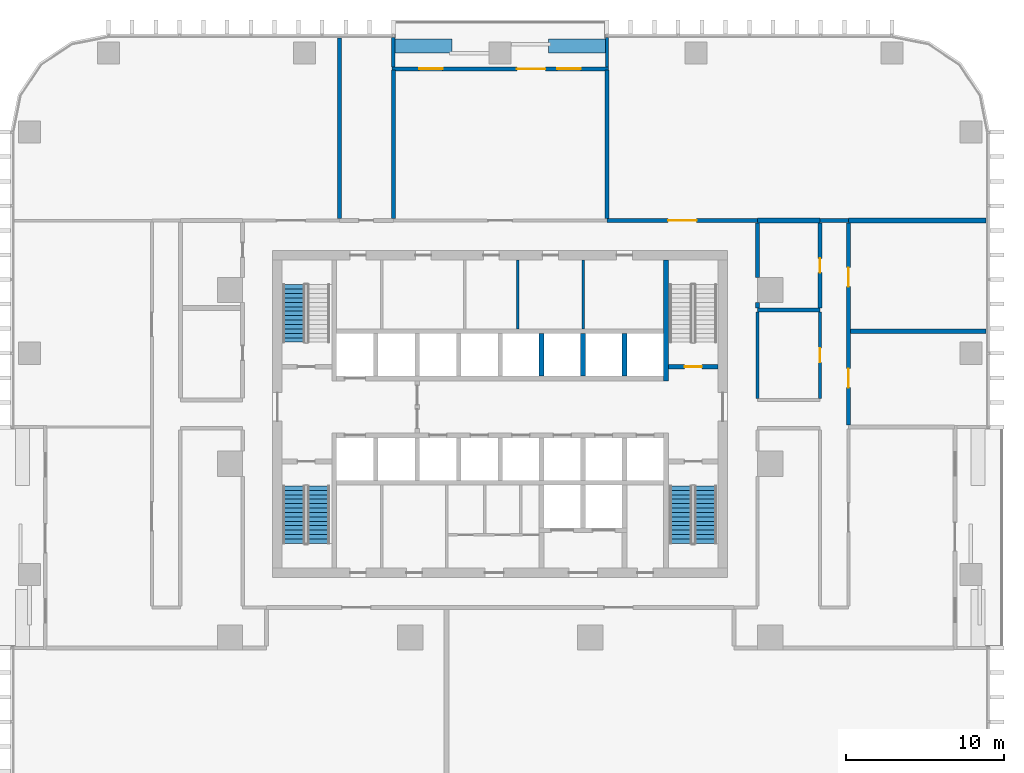
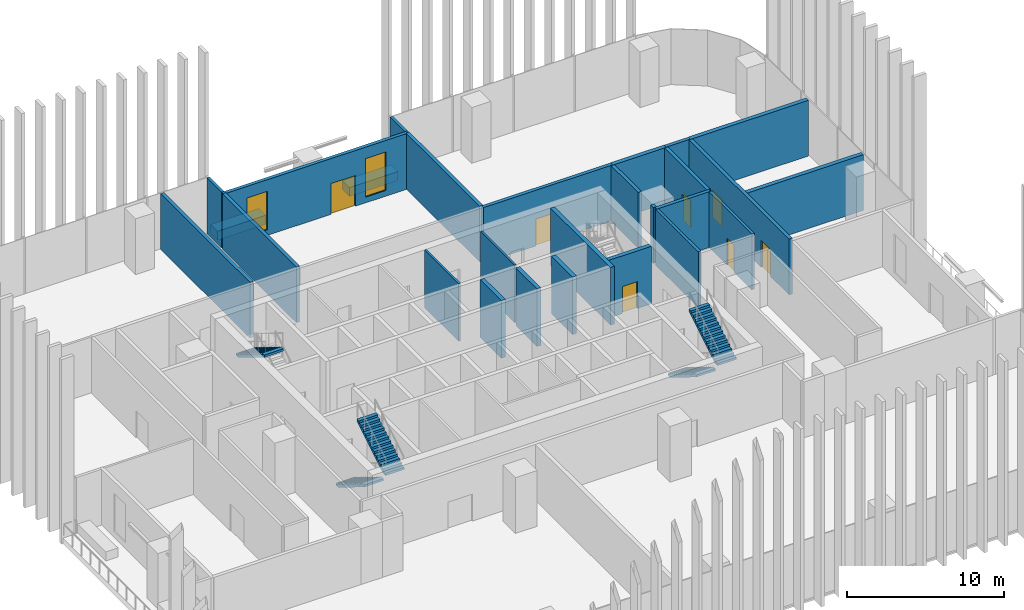
# One storey, part 10 of 17: 27 walls, 7 doors, 5 stair flights, 2 windows, 9 openings, 3 elements without a shape of their own.
"""IFC4 building model written with IfcOpenShell, lengths in metres."""

from ifc_helpers import new_model, si_unit, direction, frame, frame_2d, origin, place, context, subcontext, project, spatial, polyline, rectangle, outline, extrude, material, layer, layer_set, type_object, element, fill, aggregate, save


model = new_model("IFC4")

# Units and contexts
model_context = context("Model", 3, precision=1e-05, world=origin(), true_north=direction((0.0, 1.0)))
body_context = subcontext(model_context, "Body", "Model", "MODEL_VIEW")
ifc_project = project(units=[si_unit("LENGTHUNIT", "METRE"), si_unit("AREAUNIT", "SQUARE_METRE"), si_unit("VOLUMEUNIT", "CUBIC_METRE"), si_unit("PLANEANGLEUNIT", "RADIAN"), si_unit("MASSUNIT", "GRAM", prefix="KILO")], contexts=[model_context])

# Site, building, storey
site_placement = place(None, origin())
site = spatial("IfcSite", under=ifc_project, at=site_placement, CompositionType="ELEMENT")
building_placement = place(site_placement, origin())
building = spatial("IfcBuilding", under=site, at=building_placement, Name="Mopane Tessera Tower", CompositionType="ELEMENT")
storey_placement = place(building_placement, frame((0.0, 0.0, 45.39990234375)))
storey = spatial("IfcBuildingStorey", under=building, at=storey_placement, Name="L08", CompositionType="ELEMENT", Elevation=45.39990234375)

# Walls
ifc_material_1 = material(Name="Fire-rated gypsum board partition")
ifc_layer_1 = layer(ifc_material_1, 0.14990234375)
ifc_layer_set_1 = layer_set([ifc_layer_1], Name="Fire-rated gypsum board partition")
wall_type_1 = type_object("IfcWallType", Name="Core room partition 150 mm", PredefinedType="PARTITIONING", material=ifc_layer_set_1)
for number, where, z_axis, x_axis, name in (
    (1, (1.125, 8.550048828125, 0.0), (0.0, 0.0, 1.0), (0.0, 1.0, 0.0), "L08 Room partition"),
    (2, (5.25, 8.550048828125, 0.0), (0.0, 0.0, 1.0), (0.0, 1.0, 0.0), "L08 Room partition"),
):
    element("IfcWall", number, at=place(storey_placement, frame(where, z_axis=z_axis, x_axis=x_axis)), inside=storey, type_object=wall_type_1, Name=name, PredefinedType="PARTITIONING", context=body_context, shape_type="SweptSolid", body=[
        extrude(rectangle(XDim=4.349853515625, YDim=0.14990234375, at=frame_2d((2.1748046875, 0.0))), origin(), (0.0, 0.0, 1.0), 4.5),
    ])
ifc_material_2 = material(Name="Concrete C60/75", Category="concrete")
ifc_layer_2 = layer(ifc_material_2, 0.300048828125)
ifc_layer_set_2 = layer_set([ifc_layer_2], Name="Concrete C60/75")
wall_type_2 = type_object("IfcWallType", Name="Core spine wall 300 mm", PredefinedType="SHEAR", material=ifc_layer_set_2)
wall_1_placement = place(storey_placement, frame((10.5, 5.25, 0.0), z_axis=(0.0, 0.0, 1.0), x_axis=(0.0, 1.0, 0.0)))
element("IfcWall", 3, at=wall_1_placement, inside=storey, type_object=wall_type_2, Name="L08 Core spine wall", PredefinedType="SHEAR", context=body_context, shape_type="SweptSolid", body=[
    extrude(rectangle(XDim=7.64990234375, YDim=0.300048828125, at=frame_2d((3.824951171875, 0.0))), origin(), (0.0, 0.0, 1.0), 4.5),
])
ifc_material_3 = material(Name="Gypsum board on steel studs, two layers each face, mineral wool infill", Category="steel")
ifc_layer_3 = layer(ifc_material_3, 0.199951171875)
ifc_layer_set_3 = layer_set([ifc_layer_3], Name="Gypsum board on steel studs, two layers each face, mineral wool infill")
wall_type_3 = type_object("IfcWallType", Name="Gypsum board corridor wall 200, rated EI 60", PredefinedType="PARTITIONING", material=ifc_layer_set_3)
wall_2_placement = place(storey_placement, frame((16.300048828125, 4.14990234375, 0.0), z_axis=(0.0, 0.0, 1.0), x_axis=(0.0, 1.0, 0.0)))
element("IfcWall", 4, at=wall_2_placement, inside=storey, type_object=wall_type_3, Name="Partition L08:043", PredefinedType="PARTITIONING", context=body_context, shape_type="SweptSolid", body=[
    extrude(rectangle(XDim=5.4501953125, YDim=0.199951171875, at=frame_2d((2.72509765625, 0.0))), origin(), (0.0, 0.0, 1.0), 4.35009765625),
])

# Wall, opening, door
wall_3_placement = place(storey_placement, frame((20.25, 4.14990234375, 0.0), z_axis=(0.0, 0.0, 1.0), x_axis=(0.0, 1.0, 0.0)))
wall_3 = element("IfcWall", 5, at=wall_3_placement, inside=storey, type_object=wall_type_3, Name="Partition L08:047", PredefinedType="PARTITIONING", context=body_context, shape_type="SweptSolid", body=[
    extrude(rectangle(XDim=5.4501953125, YDim=0.199951171875, at=frame_2d((2.72509765625, 0.0))), origin(), (0.0, 0.0, 1.0), 4.35009765625),
])
opening_1_placement = place(wall_3_placement, frame((2.27490234375, 0.0, 0.0)))
opening_1 = element("IfcOpeningElement", 6, at=opening_1_placement, cuts=wall_3, Name="Opening L08-12", PredefinedType="OPENING", context=body_context, shape_type="SweptSolid", body=[
    extrude(rectangle(XDim=0.89990234375, YDim=2.10009765625, at=frame_2d((0.449951171875, 1.050048828125))), frame((0.0, 0.112060546875, 0.0), z_axis=(0.0, -1.0, 0.0), x_axis=(1.0, 0.0, 0.0)), (0.0, 0.0, 1.0), 0.223876953125),
])
ifc_material_4 = material(Name="Timber veneered steel-framed fire door", Category="steel")
door_type_1 = type_object("IfcDoorType", Name="Fire door FD60 900 x 2100", OperationType="SINGLE_SWING_LEFT", PredefinedType="DOOR", material=ifc_material_4)
door_1_placement = place(opening_1_placement, origin())
door_1 = element("IfcDoor", 7, at=door_1_placement, inside=storey, type_object=door_type_1, Name="Door L08-12", ObjectType="D10A", OperationType="SINGLE_SWING_LEFT", OverallHeight=2.10009765625, OverallWidth=0.89990234375, PredefinedType="DOOR", context=body_context, shape_type="SweptSolid", body=[
    extrude(rectangle(XDim=0.89990234375, YDim=2.10009765625, at=frame_2d((0.449951171875, 1.050048828125))), frame((0.0, 0.02490234375, 0.0), z_axis=(0.0, -1.0, 0.0), x_axis=(1.0, 0.0, 0.0)), (0.0, 0.0, 1.0), 0.050048828125),
])
fill(opening_1, door_1)

ifc_material_5 = material(Name="Concrete C50/60", Category="concrete")
ifc_layer_4 = layer(ifc_material_5, 0.300048828125)
ifc_layer_set_4 = layer_set([ifc_layer_4], Name="Concrete C50/60")
wall_type_4 = type_object("IfcWallType", Name="Lift and stair shaft wall 300 mm", PredefinedType="SOLIDWALL", material=ifc_layer_set_4)
wall_4_placement = place(storey_placement, frame((10.64990234375, 6.14990234375, 0.0), z_axis=(0.0, 0.0, 1.0), x_axis=(1.0, 0.0, 0.0)))
wall_4 = element("IfcWall", 8, at=wall_4_placement, inside=storey, type_object=wall_type_4, Name="L08 Stair enclosure wall", PredefinedType="SOLIDWALL", context=body_context, shape_type="SweptSolid", body=[
    extrude(rectangle(XDim=3.150146484375, YDim=0.300048828125, at=frame_2d((1.5751953125, 0.0))), origin(), (0.0, 0.0, 1.0), 4.5),
])
opening_2_placement = place(wall_4_placement, frame((1.02490234375, 0.0, 0.0)))
opening_2 = element("IfcOpeningElement", 9, at=opening_2_placement, cuts=wall_4, Name="Opening SD1", PredefinedType="OPENING", context=body_context, shape_type="SweptSolid", body=[
    extrude(rectangle(XDim=1.10009765625, YDim=2.10009765625, at=frame_2d((0.550048828125, 1.050048828125))), frame((0.0, 0.162109375, 0.0), z_axis=(0.0, -1.0, 0.0), x_axis=(1.0, 0.0, 0.0)), (0.0, 0.0, 1.0), 0.323974609375),
])
ifc_material_6 = material(Name="Steel fire door", Category="steel")
door_type_2 = type_object("IfcDoorType", Name="Stair fire door 1100 x 2100", OperationType="SINGLE_SWING_LEFT", PredefinedType="DOOR", material=ifc_material_6)
door_2_placement = place(opening_2_placement, origin())
door_2 = element("IfcDoor", 10, at=door_2_placement, inside=storey, type_object=door_type_2, Name="L08 Stair door ST4", OperationType="SINGLE_SWING_RIGHT", OverallHeight=2.10009765625, OverallWidth=1.10009765625, PredefinedType="DOOR", context=body_context, shape_type="SweptSolid", body=[
    extrude(rectangle(XDim=1.10009765625, YDim=2.10009765625, at=frame_2d((0.550048828125, 1.050048828125))), frame((0.0, 0.02490234375, 0.0), z_axis=(0.0, -1.0, 0.0), x_axis=(1.0, 0.0, 0.0)), (0.0, 0.0, 1.0), 0.050048828125),
])
fill(opening_2, door_2)

# Walls
for number, where, z_axis, x_axis, name in (
    (11, (2.625, 5.550048828125, 0.0), (0.0, 0.0, 1.0), (0.0, 1.0, 0.0), "L08 Lift shaft wall"),
    (12, (5.25, 5.550048828125, 0.0), (0.0, 0.0, 1.0), (0.0, 1.0, 0.0), "L08 Lift shaft wall"),
    (13, (7.875, 5.550048828125, 0.0), (0.0, 0.0, 1.0), (0.0, 1.0, 0.0), "L08 Lift shaft wall"),
):
    element("IfcWall", number, at=place(storey_placement, frame(where, z_axis=z_axis, x_axis=x_axis)), inside=storey, type_object=wall_type_4, Name=name, PredefinedType="SOLIDWALL", context=body_context, shape_type="SweptSolid", body=[
        extrude(rectangle(XDim=2.699951171875, YDim=0.300048828125, at=frame_2d((1.35009765625, 0.0))), origin(), (0.0, 0.0, 1.0), 4.5),
    ])
ifc_material_7 = material(Name="Reinforced concrete C32/40 with waterproofing", Category="concrete")
ifc_layer_5 = layer(ifc_material_7, 0.89990234375)
ifc_layer_set_5 = layer_set([ifc_layer_5], Name="Reinforced concrete C32/40 with waterproofing")
wall_type_5 = type_object("IfcWallType", Name="Planter trough 3600 x 900", PredefinedType="STANDARD", material=ifc_layer_set_5)
for number, where, z_axis, x_axis, name in (
    (14, (6.66357421875, 26.449951171875, 0.0), (0.0, 0.0, 1.0), (-1.0, 0.0, 0.0), "e:nw:L08:N2:pl0"),
    (15, (-3.063720703125, 26.449951171875, 0.0), (0.0, 0.0, 1.0), (-1.0, 0.0, 0.0), "e:nw:L08:N2:pl1"),
):
    element("IfcWall", number, at=place(storey_placement, frame(where, z_axis=z_axis, x_axis=x_axis)), inside=storey, type_object=wall_type_5, Name=name, PredefinedType="STANDARD", context=body_context, shape_type="SweptSolid", body=[
        extrude(rectangle(XDim=3.599853515625, YDim=0.89990234375, at=frame_2d((1.7998046875, 0.0))), origin(), (0.0, 0.0, 1.0), 0.7001953125),
    ])
ifc_material_8 = material(Name="Plastered concrete blockwork C20/25", Category="masonry")
ifc_layer_6 = layer(ifc_material_8, 0.300048828125)
ifc_layer_set_6 = layer_set([ifc_layer_6], Name="Plastered concrete blockwork C20/25")
wall_type_6 = type_object("IfcWallType", Name="Plastered blockwork separation wall 300, rated EI 120", PredefinedType="PARTITIONING", material=ifc_layer_set_6)
wall_5_placement = place(storey_placement, frame((22.175048828125, 8.39990234375, 0.0), z_axis=(0.0, 0.0, 1.0), x_axis=(1.0, 0.0, 0.0)))
element("IfcWall", 16, at=wall_5_placement, inside=storey, type_object=wall_type_6, Name="Partition L08:015", PredefinedType="PARTITIONING", context=body_context, shape_type="SweptSolid", body=[
    extrude(rectangle(XDim=8.574951171875, YDim=0.300048828125, at=frame_2d((4.28759765625, 0.0))), origin(), (0.0, 0.0, 1.0), 4.35009765625),
])
wall_6_placement = place(storey_placement, frame((16.300048828125, 15.39990234375, 0.0), z_axis=(0.0, 0.0, 1.0), x_axis=(1.0, 0.0, 0.0)))
element("IfcWall", 17, at=wall_6_placement, inside=storey, type_object=wall_type_6, Name="Partition L08:026", PredefinedType="PARTITIONING", context=body_context, shape_type="SweptSolid", body=[
    extrude(rectangle(XDim=3.949951171875, YDim=0.300048828125, at=frame_2d((1.97509765625, 0.0))), origin(), (0.0, 0.0, 1.0), 4.35009765625),
])
wall_7_placement = place(storey_placement, frame((22.050048828125, 15.39990234375, 0.0), z_axis=(0.0, 0.0, 1.0), x_axis=(1.0, 0.0, 0.0)))
element("IfcWall", 18, at=wall_7_placement, inside=storey, type_object=wall_type_6, Name="Partition L08:027", PredefinedType="PARTITIONING", context=body_context, shape_type="SweptSolid", body=[
    extrude(rectangle(XDim=8.699951171875, YDim=0.300048828125, at=frame_2d((4.35009765625, 0.0))), origin(), (0.0, 0.0, 1.0), 4.35009765625),
])
ifc_material_9 = material(Name="Plastered concrete blockwork C20/25", Category="masonry")
ifc_layer_7 = layer(ifc_material_9, 0.25)
ifc_layer_set_7 = layer_set([ifc_layer_7], Name="Plastered concrete blockwork C20/25")
wall_type_7 = type_object("IfcWallType", Name="Plastered blockwork wall 250, rated EI 120", PredefinedType="PARTITIONING", material=ifc_layer_set_7)
wall_8_placement = place(storey_placement, frame((16.300048828125, 9.72509765625, 0.0), z_axis=(0.0, 0.0, 1.0), x_axis=(1.0, 0.0, 0.0)))
element("IfcWall", 19, at=wall_8_placement, inside=storey, type_object=wall_type_7, Name="Partition L08:016", PredefinedType="PARTITIONING", context=body_context, shape_type="SweptSolid", body=[
    extrude(rectangle(XDim=3.949951171875, YDim=0.25, at=frame_2d((1.97509765625, 0.0))), origin(), (0.0, 0.0, 1.0), 4.35009765625),
])

# Wall, opening, door
wall_9_placement = place(storey_placement, frame((6.764892578125, 15.39990234375, 0.0), z_axis=(0.0, 0.0, 1.0), x_axis=(1.0, 0.0, 0.0)))
wall_9 = element("IfcWall", 20, at=wall_9_placement, inside=storey, type_object=wall_type_7, Name="Partition L08:024", PredefinedType="PARTITIONING", context=body_context, shape_type="SweptSolid", body=[
    extrude(rectangle(XDim=9.53515625, YDim=0.25, at=frame_2d((4.767578125, 0.0))), origin(), (0.0, 0.0, 1.0), 4.35009765625),
])
opening_3_placement = place(wall_9_placement, frame((3.867431640625, 0.0, 0.0)))
opening_3 = element("IfcOpeningElement", 21, at=opening_3_placement, cuts=wall_9, Name="Opening L08-10", PredefinedType="OPENING", context=body_context, shape_type="SweptSolid", body=[
    extrude(rectangle(XDim=1.800048828125, YDim=2.10009765625, at=frame_2d((0.89990234375, 1.050048828125))), frame((0.0, 0.136962890625, 0.0), z_axis=(0.0, -1.0, 0.0), x_axis=(1.0, 0.0, 0.0)), (0.0, 0.0, 1.0), 0.27392578125),
])
ifc_material_10 = material(Name="Timber veneered steel-framed fire door", Category="steel")
door_type_3 = type_object("IfcDoorType", Name="Fire door pair FD120 1800 x 2100", OperationType="DOUBLE_DOOR_SINGLE_SWING", PredefinedType="DOOR", material=ifc_material_10)
door_3_placement = place(opening_3_placement, origin())
door_3 = element("IfcDoor", 22, at=door_3_placement, inside=storey, type_object=door_type_3, Name="Door L08-10", ObjectType="D20B", OperationType="DOUBLE_DOOR_SINGLE_SWING", OverallHeight=2.10009765625, OverallWidth=1.800048828125, PredefinedType="DOOR", context=body_context, shape_type="SweptSolid", body=[
    extrude(rectangle(XDim=1.800048828125, YDim=2.10009765625, at=frame_2d((0.89990234375, 1.050048828125))), frame((0.0, 0.02490234375, 0.0), z_axis=(0.0, -1.0, 0.0), x_axis=(1.0, 0.0, 0.0)), (0.0, 0.0, 1.0), 0.050048828125),
])
fill(opening_3, door_3)

# Walls
wall_10_placement = place(storey_placement, frame((20.25, 15.39990234375, 0.0), z_axis=(0.0, 0.0, 1.0), x_axis=(1.0, 0.0, 0.0)))
element("IfcWall", 23, at=wall_10_placement, inside=storey, type_object=wall_type_7, Name="Partition L08:025", PredefinedType="PARTITIONING", context=body_context, shape_type="SweptSolid", body=[
    extrude(rectangle(XDim=1.800048828125, YDim=0.25, at=frame_2d((0.89990234375, 0.0))), origin(), (0.0, 0.0, 1.0), 4.35009765625),
])
wall_11_placement = place(storey_placement, frame((-10.18505859375, 15.52490234375, 0.0), z_axis=(0.0, 0.0, 1.0), x_axis=(0.0, 1.0, 0.0)))
element("IfcWall", 24, at=wall_11_placement, inside=storey, type_object=wall_type_7, Name="Partition L08:036", PredefinedType="PARTITIONING", context=body_context, shape_type="SweptSolid", body=[
    extrude(rectangle(XDim=11.425048828125, YDim=0.25, at=frame_2d((5.71240234375, 0.0))), origin(), (0.0, 0.0, 1.0), 4.35009765625),
])
for number, where, z_axis, x_axis, name in (
    (25, (-6.764892578125, 15.52490234375, 0.0), (0.0, 0.0, 1.0), (0.0, 1.0, 0.0), "Partition L08:037"),
    (26, (6.764892578125, 15.52490234375, 0.0), (0.0, 0.0, 1.0), (0.0, 1.0, 0.0), "Partition L08:039"),
):
    element("IfcWall", number, at=place(storey_placement, frame(where, z_axis=z_axis, x_axis=x_axis)), inside=storey, type_object=wall_type_7, Name=name, PredefinedType="PARTITIONING", context=body_context, shape_type="SweptSolid", body=[
        extrude(rectangle(XDim=9.425048828125, YDim=0.25, at=frame_2d((4.71240234375, 0.0))), origin(), (0.0, 0.0, 1.0), 4.35009765625),
    ])
wall_12_placement = place(storey_placement, frame((16.300048828125, 9.85009765625, 0.0), z_axis=(0.0, 0.0, 1.0), x_axis=(0.0, 1.0, 0.0)))
element("IfcWall", 27, at=wall_12_placement, inside=storey, type_object=wall_type_7, Name="Partition L08:044", PredefinedType="PARTITIONING", context=body_context, shape_type="SweptSolid", body=[
    extrude(rectangle(XDim=0.349853515625, YDim=0.25, at=frame_2d((0.1748046875, 0.0))), origin(), (0.0, 0.0, 1.0), 4.35009765625),
])
wall_13_placement = place(storey_placement, frame((16.300048828125, 11.800048828125, 0.0), z_axis=(0.0, 0.0, 1.0), x_axis=(0.0, 1.0, 0.0)))
element("IfcWall", 28, at=wall_13_placement, inside=storey, type_object=wall_type_7, Name="Partition L08:045", PredefinedType="PARTITIONING", context=body_context, shape_type="SweptSolid", body=[
    extrude(rectangle(XDim=3.449951171875, YDim=0.25, at=frame_2d((1.72509765625, 0.0))), origin(), (0.0, 0.0, 1.0), 4.35009765625),
])

# Wall, opening, door
wall_14_placement = place(storey_placement, frame((20.25, 9.85009765625, 0.0), z_axis=(0.0, 0.0, 1.0), x_axis=(0.0, 1.0, 0.0)))
wall_14 = element("IfcWall", 29, at=wall_14_placement, inside=storey, type_object=wall_type_7, Name="Partition L08:048", PredefinedType="PARTITIONING", context=body_context, shape_type="SweptSolid", body=[
    extrude(rectangle(XDim=5.39990234375, YDim=0.25, at=frame_2d((2.699951171875, 0.0))), origin(), (0.0, 0.0, 1.0), 4.35009765625),
])
opening_4_placement = place(wall_14_placement, frame((2.25, 0.0, 0.0)))
opening_4 = element("IfcOpeningElement", 30, at=opening_4_placement, cuts=wall_14, Name="Opening L08-03", PredefinedType="OPENING", context=body_context, shape_type="SweptSolid", body=[
    extrude(rectangle(XDim=0.89990234375, YDim=2.10009765625, at=frame_2d((0.449951171875, 1.050048828125))), frame((0.0, 0.136962890625, 0.0), z_axis=(0.0, -1.0, 0.0), x_axis=(1.0, 0.0, 0.0)), (0.0, 0.0, 1.0), 0.27392578125),
])
ifc_material_11 = material(Name="Timber veneered steel-framed fire door", Category="steel")
door_type_4 = type_object("IfcDoorType", Name="Fire door FD120 900 x 2100", OperationType="SINGLE_SWING_LEFT", PredefinedType="DOOR", material=ifc_material_11)
door_4_placement = place(opening_4_placement, origin())
door_4 = element("IfcDoor", 31, at=door_4_placement, inside=storey, type_object=door_type_4, Name="Door L08-03", ObjectType="D10B", OperationType="SINGLE_SWING_LEFT", OverallHeight=2.10009765625, OverallWidth=0.89990234375, PredefinedType="DOOR", context=body_context, shape_type="SweptSolid", body=[
    extrude(rectangle(XDim=0.89990234375, YDim=2.10009765625, at=frame_2d((0.449951171875, 1.050048828125))), frame((0.0, 0.02490234375, 0.0), z_axis=(0.0, -1.0, 0.0), x_axis=(1.0, 0.0, 0.0)), (0.0, 0.0, 1.0), 0.050048828125),
])
fill(opening_4, door_4)

# Wall, openings, doors
wall_15_placement = place(storey_placement, frame((22.050048828125, 2.4599609375, 0.0), z_axis=(0.0, 0.0, 1.0), x_axis=(0.0, 1.0, 0.0)))
wall_15 = element("IfcWall", 32, at=wall_15_placement, inside=storey, type_object=wall_type_7, Name="Partition L08:050", PredefinedType="PARTITIONING", context=body_context, shape_type="SweptSolid", body=[
    extrude(rectangle(XDim=12.7900390625, YDim=0.25, at=frame_2d((6.39501953125, 0.0))), origin(), (0.0, 0.0, 1.0), 4.35009765625),
])
opening_5_placement = place(wall_15_placement, frame((2.3701171875, 0.0, 0.0)))
opening_5 = element("IfcOpeningElement", 33, at=opening_5_placement, cuts=wall_15, Name="Opening L08-06", PredefinedType="OPENING", context=body_context, shape_type="SweptSolid", body=[
    extrude(rectangle(XDim=1.199951171875, YDim=2.10009765625, at=frame_2d((0.60009765625, 1.050048828125))), frame((0.0, 0.136962890625, 0.0), z_axis=(0.0, -1.0, 0.0), x_axis=(1.0, 0.0, 0.0)), (0.0, 0.0, 1.0), 0.27392578125),
])
opening_6_placement = place(wall_15_placement, frame((8.764892578125, 0.0, 0.0)))
opening_6 = element("IfcOpeningElement", 34, at=opening_6_placement, cuts=wall_15, Name="Opening L08-08", PredefinedType="OPENING", context=body_context, shape_type="SweptSolid", body=[
    extrude(rectangle(XDim=1.199951171875, YDim=2.10009765625, at=frame_2d((0.60009765625, 1.050048828125))), frame((0.0, 0.136962890625, 0.0), z_axis=(0.0, -1.0, 0.0), x_axis=(1.0, 0.0, 0.0)), (0.0, 0.0, 1.0), 0.27392578125),
])
ifc_material_12 = material(Name="Timber veneered steel-framed fire door", Category="steel")
door_type_5 = type_object("IfcDoorType", Name="Fire door FD120 1200 x 2100", OperationType="SINGLE_SWING_LEFT", PredefinedType="DOOR", material=ifc_material_12)
door_5_placement = place(opening_5_placement, origin())
door_5 = element("IfcDoor", 35, at=door_5_placement, inside=storey, type_object=door_type_5, Name="Door L08-06", ObjectType="D15B", OperationType="SINGLE_SWING_LEFT", OverallHeight=2.10009765625, OverallWidth=1.199951171875, PredefinedType="DOOR", context=body_context, shape_type="SweptSolid", body=[
    extrude(rectangle(XDim=1.199951171875, YDim=2.10009765625, at=frame_2d((0.60009765625, 1.050048828125))), frame((0.0, 0.02490234375, 0.0), z_axis=(0.0, -1.0, 0.0), x_axis=(1.0, 0.0, 0.0)), (0.0, 0.0, 1.0), 0.050048828125),
])
fill(opening_5, door_5)
door_6_placement = place(opening_6_placement, origin())
door_6 = element("IfcDoor", 36, at=door_6_placement, inside=storey, type_object=door_type_5, Name="Door L08-08", ObjectType="D15B", OperationType="SINGLE_SWING_LEFT", OverallHeight=2.10009765625, OverallWidth=1.199951171875, PredefinedType="DOOR", context=body_context, shape_type="SweptSolid", body=[
    extrude(rectangle(XDim=1.199951171875, YDim=2.10009765625, at=frame_2d((0.60009765625, 1.050048828125))), frame((0.0, 0.02490234375, 0.0), z_axis=(0.0, -1.0, 0.0), x_axis=(1.0, 0.0, 0.0)), (0.0, 0.0, 1.0), 0.050048828125),
])
fill(opening_6, door_6)

# Walls
ifc_material_13 = material(Name="Blockwork with glazed tile facing", Category="masonry")
ifc_layer_8 = layer(ifc_material_13, 0.199951171875)
ifc_layer_set_8 = layer_set([ifc_layer_8], Name="Blockwork with glazed tile facing")
wall_type_8 = type_object("IfcWallType", Name="Terrace cheek wall 200", PredefinedType="STANDARD", material=ifc_layer_set_8)
for number, where, z_axis, x_axis, name in (
    (37, (6.763671875, 27.0, 0.0), (0.0, 0.0, 1.0), (0.0, -1.0, 0.0), "e:nw:L08:N2:cheeka"),
    (38, (-6.763671875, 27.0, 0.0), (0.0, 0.0, 1.0), (0.0, -1.0, 0.0), "e:nw:L08:N2:cheekb"),
):
    element("IfcWall", number, at=place(storey_placement, frame(where, z_axis=z_axis, x_axis=x_axis)), inside=storey, type_object=wall_type_8, Name=name, PredefinedType="STANDARD", context=body_context, shape_type="SweptSolid", body=[
        extrude(rectangle(XDim=1.875, YDim=0.199951171875, at=frame_2d((0.9375, 0.0))), origin(), (0.0, 0.0, 1.0), 4.35009765625),
    ])

# Wall, openings, windows, door
ifc_material_14 = material(Name="Blockwork with ultramarine glazed tile facing", Category="masonry")
ifc_layer_9 = layer(ifc_material_14, 0.25)
ifc_layer_set_9 = layer_set([ifc_layer_9], Name="Blockwork with ultramarine glazed tile facing")
wall_type_9 = type_object("IfcWallType", Name="Tile-clad external wall 250, ultramarine", PredefinedType="STANDARD", material=ifc_layer_set_9)
wall_16_placement = place(storey_placement, frame((6.863525390625, 25.0, 0.0), z_axis=(0.0, 0.0, 1.0), x_axis=(-1.0, 0.0, 0.0)))
wall_16 = element("IfcWall", 39, at=wall_16_placement, inside=storey, type_object=wall_type_9, Name="e:nw:L08:N2:back", PredefinedType="STANDARD", context=body_context, shape_type="SweptSolid", body=[
    extrude(rectangle(XDim=13.72705078125, YDim=0.25, at=frame_2d((6.863525390625, 0.0))), origin(), (0.0, 0.0, 1.0), 4.35009765625),
])
opening_7_placement = place(wall_16_placement, frame((1.75, 0.0, 0.449951171875)))
opening_7 = element("IfcOpeningElement", 40, at=opening_7_placement, cuts=wall_16, Name="Opening NW082A", PredefinedType="OPENING", context=body_context, shape_type="SweptSolid", body=[
    extrude(rectangle(XDim=1.5, YDim=3.0, at=frame_2d((0.75, 1.5))), frame((0.0, 0.136962890625, 0.0), z_axis=(0.0, -1.0, 0.0), x_axis=(1.0, 0.0, 0.0)), (0.0, 0.0, 1.0), 0.27392578125),
])
opening_8_placement = place(wall_16_placement, frame((4.0, 0.0, 0.0)))
opening_8 = element("IfcOpeningElement", 41, at=opening_8_placement, cuts=wall_16, Name="Opening ND082", PredefinedType="OPENING", context=body_context, shape_type="SweptSolid", body=[
    extrude(rectangle(XDim=1.800048828125, YDim=2.39990234375, at=frame_2d((0.89990234375, 1.199951171875))), frame((0.0, 0.136962890625, 0.0), z_axis=(0.0, -1.0, 0.0), x_axis=(1.0, 0.0, 0.0)), (0.0, 0.0, 1.0), 0.27392578125),
])
opening_9_placement = place(wall_16_placement, frame((10.5, 0.0, 0.449951171875)))
opening_9 = element("IfcOpeningElement", 42, at=opening_9_placement, cuts=wall_16, Name="Opening NW082B", PredefinedType="OPENING", context=body_context, shape_type="SweptSolid", body=[
    extrude(rectangle(XDim=1.5, YDim=3.0, at=frame_2d((0.75, 1.5))), frame((0.0, 0.136962890625, 0.0), z_axis=(0.0, -1.0, 0.0), x_axis=(1.0, 0.0, 0.0)), (0.0, 0.0, 1.0), 0.27392578125),
])
ifc_material_15 = material(Name="Clear laminated glass", Category="glass")
window_type = type_object("IfcWindowType", Name="Fixed window 1500 x 3000", PartitioningType="SINGLE_PANEL", PredefinedType="WINDOW", material=ifc_material_15)
window_1_placement = place(opening_7_placement, origin())
window_1 = element("IfcWindow", 43, at=window_1_placement, inside=storey, type_object=window_type, Name="e:nw:L08:N2:win0", OverallHeight=3.0, OverallWidth=1.5, PartitioningType="SINGLE_PANEL", PredefinedType="WINDOW", context=body_context, shape_type="SweptSolid", body=[
    extrude(rectangle(XDim=1.5, YDim=3.0, at=frame_2d((0.75, 1.5))), frame((0.0, 0.030029296875, 0.0), z_axis=(0.0, -1.0, 0.0), x_axis=(1.0, 0.0, 0.0)), (0.0, 0.0, 1.0), 0.06005859375),
])
fill(opening_7, window_1)
window_2_placement = place(opening_9_placement, origin())
window_2 = element("IfcWindow", 44, at=window_2_placement, inside=storey, type_object=window_type, Name="e:nw:L08:N2:win2", OverallHeight=3.0, OverallWidth=1.5, PartitioningType="SINGLE_PANEL", PredefinedType="WINDOW", context=body_context, shape_type="SweptSolid", body=[
    extrude(rectangle(XDim=1.5, YDim=3.0, at=frame_2d((0.75, 1.5))), frame((0.0, 0.030029296875, 0.0), z_axis=(0.0, -1.0, 0.0), x_axis=(1.0, 0.0, 0.0)), (0.0, 0.0, 1.0), 0.06005859375),
])
fill(opening_9, window_2)
ifc_material_16 = material(Name="Aluminium and clear glass", Category="aluminium")
door_type_6 = type_object("IfcDoorType", Name="Terrace double door 1800 x 2400", OperationType="DOUBLE_DOOR_SINGLE_SWING", PredefinedType="DOOR", material=ifc_material_16)
door_7_placement = place(opening_8_placement, origin())
door_7 = element("IfcDoor", 45, at=door_7_placement, inside=storey, type_object=door_type_6, Name="e:nw:L08:N2:door", ObjectType="D1", OperationType="DOUBLE_DOOR_SINGLE_SWING", OverallHeight=2.39990234375, OverallWidth=1.800048828125, PredefinedType="DOOR", context=body_context, shape_type="SweptSolid", body=[
    extrude(rectangle(XDim=1.800048828125, YDim=2.39990234375, at=frame_2d((0.89990234375, 1.199951171875))), frame((0.0, 0.02490234375, 0.0), z_axis=(0.0, -1.0, 0.0), x_axis=(1.0, 0.0, 0.0)), (0.0, 0.0, 1.0), 0.050048828125),
])
fill(opening_8, door_7)

# Stair, stair flights
ifc_material_17 = material(Name="Concrete C50/60", Category="concrete")
stair_type = type_object("IfcStairType", Name="Escape stair 1400 mm, riser 171 mm", PredefinedType="HALF_TURN_STAIR", material=ifc_material_17)
stair_1_placement = place(storey_placement, origin())
stair_1 = element("IfcStair", 46, at=stair_1_placement, inside=storey, type_object=stair_type, Name="L08 Escape stair south-west", PredefinedType="HALF_TURN_STAIR")
ifc_material_18 = material(Name="Concrete C50/60", Category="concrete")
stair_flight_type = type_object("IfcStairFlightType", Name="Escape stair flight 1400 mm", PredefinedType="STRAIGHT", material=ifc_material_18)
stair_flight_1_placement = place(storey_placement, frame((-13.050048828125, -1.39990234375, 0.0), z_axis=(0.0, 0.0, 1.0), x_axis=(0.0, -1.0, 0.0)))
stair_flight_1 = element("IfcStairFlight", 47, at=stair_flight_1_placement, type_object=stair_flight_type, Name="ST1 flight 1", NumberOfRisers=14, NumberOfTreads=13, PredefinedType="STRAIGHT", RiserHeight=0.171428571, TreadLength=0.28, context=body_context, shape_type="SweptSolid", body=[
    extrude(outline(polyline([(0.0, 0.0), (0.0, 0.17138671875), (0.280029296875, 0.17138671875), (0.280029296875, 0.3427734375), (0.56005859375, 0.3427734375), (0.56005859375, 0.514404296875), (0.840087890625, 0.514404296875), (0.840087890625, 0.685791015625), (1.1201171875, 0.685791015625), (1.1201171875, 0.857177734375), (1.39990234375, 0.857177734375), (1.39990234375, 1.028564453125), (1.679931640625, 1.028564453125), (1.679931640625, 1.199951171875), (1.9599609375, 1.199951171875), (1.9599609375, 1.371337890625), (2.239990234375, 1.371337890625), (2.239990234375, 1.54296875), (2.52001953125, 1.54296875), (2.52001953125, 1.71435546875), (2.800048828125, 1.71435546875), (2.800048828125, 1.8857421875), (3.080078125, 1.8857421875), (3.080078125, 2.05712890625), (3.360107421875, 2.05712890625), (3.360107421875, 2.228515625), (3.639892578125, 2.228515625), (3.639892578125, 2.39990234375), (3.639892578125, 2.052734375), (0.287109375, 0.0), (0.0, 0.0)])), frame((0.0, 0.699951171875, 0.0), z_axis=(0.0, -1.0, 0.0), x_axis=(1.0, 0.0, 0.0)), (0.0, 0.0, 1.0), 1.39990234375),
])
stair_flight_2_placement = place(storey_placement, frame((-11.5, -5.0400390625, 2.400146484375), z_axis=(0.0, 0.0, 1.0), x_axis=(0.0, 1.0, 0.0)))
stair_flight_2 = element("IfcStairFlight", 48, at=stair_flight_2_placement, type_object=stair_flight_type, Name="ST1 flight 2", NumberOfRisers=14, NumberOfTreads=13, PredefinedType="STRAIGHT", RiserHeight=0.171428571, TreadLength=0.28, context=body_context, shape_type="SweptSolid", body=[
    extrude(outline(polyline([(0.0, 0.0), (0.0, 0.17138671875), (0.280029296875, 0.17138671875), (0.280029296875, 0.3427734375), (0.56005859375, 0.3427734375), (0.56005859375, 0.514404296875), (0.840087890625, 0.514404296875), (0.840087890625, 0.685791015625), (1.1201171875, 0.685791015625), (1.1201171875, 0.857177734375), (1.39990234375, 0.857177734375), (1.39990234375, 1.028564453125), (1.679931640625, 1.028564453125), (1.679931640625, 1.199951171875), (1.9599609375, 1.199951171875), (1.9599609375, 1.371337890625), (2.239990234375, 1.371337890625), (2.239990234375, 1.54296875), (2.52001953125, 1.54296875), (2.52001953125, 1.71435546875), (2.800048828125, 1.71435546875), (2.800048828125, 1.8857421875), (3.080078125, 1.8857421875), (3.080078125, 2.05712890625), (3.360107421875, 2.05712890625), (3.360107421875, 2.228515625), (3.639892578125, 2.228515625), (3.639892578125, 2.39990234375), (3.639892578125, 2.052734375), (0.287109375, 0.0), (0.0, 0.0)])), frame((0.0, 0.699951171875, 0.0), z_axis=(0.0, -1.0, 0.0), x_axis=(1.0, 0.0, 0.0)), (0.0, 0.0, 1.0), 1.39990234375),
])
aggregate(stair_1, [stair_flight_1, stair_flight_2])

# Stair, stair flight
stair_2_placement = place(storey_placement, origin())
stair_2 = element("IfcStair", 49, at=stair_2_placement, inside=storey, type_object=stair_type, Name="L08 Escape stair north-west", PredefinedType="HALF_TURN_STAIR")
stair_flight_3_placement = place(storey_placement, frame((-13.050048828125, 11.340087890625, 2.400146484375), z_axis=(0.0, 0.0, 1.0), x_axis=(0.0, -1.0, 0.0)))
stair_flight_3 = element("IfcStairFlight", 50, at=stair_flight_3_placement, type_object=stair_flight_type, Name="ST2 flight 2", NumberOfRisers=14, NumberOfTreads=13, PredefinedType="STRAIGHT", RiserHeight=0.171428571, TreadLength=0.28, context=body_context, shape_type="SweptSolid", body=[
    extrude(outline(polyline([(0.0, 0.0), (0.0, 0.17138671875), (0.280029296875, 0.17138671875), (0.280029296875, 0.3427734375), (0.56005859375, 0.3427734375), (0.56005859375, 0.514404296875), (0.840087890625, 0.514404296875), (0.840087890625, 0.685791015625), (1.1201171875, 0.685791015625), (1.1201171875, 0.857177734375), (1.39990234375, 0.857177734375), (1.39990234375, 1.028564453125), (1.679931640625, 1.028564453125), (1.679931640625, 1.199951171875), (1.9599609375, 1.199951171875), (1.9599609375, 1.371337890625), (2.239990234375, 1.371337890625), (2.239990234375, 1.54296875), (2.52001953125, 1.54296875), (2.52001953125, 1.71435546875), (2.800048828125, 1.71435546875), (2.800048828125, 1.8857421875), (3.080078125, 1.8857421875), (3.080078125, 2.05712890625), (3.360107421875, 2.05712890625), (3.360107421875, 2.228515625), (3.639892578125, 2.228515625), (3.639892578125, 2.39990234375), (3.639892578125, 2.052734375), (0.287109375, 0.0), (0.0, 0.0)])), frame((0.0, 0.699951171875, 0.0), z_axis=(0.0, -1.0, 0.0), x_axis=(1.0, 0.0, 0.0)), (0.0, 0.0, 1.0), 1.39990234375),
])
aggregate(stair_2, [stair_flight_3])

# Stair, stair flights
stair_3_placement = place(storey_placement, origin())
stair_3 = element("IfcStair", 51, at=stair_3_placement, inside=storey, type_object=stair_type, Name="L08 Escape stair south-east", PredefinedType="HALF_TURN_STAIR")
stair_flight_4_placement = place(storey_placement, frame((11.449951171875, -1.39990234375, 0.0), z_axis=(0.0, 0.0, 1.0), x_axis=(0.0, -1.0, 0.0)))
stair_flight_4 = element("IfcStairFlight", 52, at=stair_flight_4_placement, type_object=stair_flight_type, Name="ST3 flight 1", NumberOfRisers=14, NumberOfTreads=13, PredefinedType="STRAIGHT", RiserHeight=0.171428571, TreadLength=0.28, context=body_context, shape_type="SweptSolid", body=[
    extrude(outline(polyline([(0.0, 0.0), (0.0, 0.17138671875), (0.280029296875, 0.17138671875), (0.280029296875, 0.3427734375), (0.56005859375, 0.3427734375), (0.56005859375, 0.514404296875), (0.840087890625, 0.514404296875), (0.840087890625, 0.685791015625), (1.1201171875, 0.685791015625), (1.1201171875, 0.857177734375), (1.39990234375, 0.857177734375), (1.39990234375, 1.028564453125), (1.679931640625, 1.028564453125), (1.679931640625, 1.199951171875), (1.9599609375, 1.199951171875), (1.9599609375, 1.371337890625), (2.239990234375, 1.371337890625), (2.239990234375, 1.54296875), (2.52001953125, 1.54296875), (2.52001953125, 1.71435546875), (2.800048828125, 1.71435546875), (2.800048828125, 1.8857421875), (3.080078125, 1.8857421875), (3.080078125, 2.05712890625), (3.360107421875, 2.05712890625), (3.360107421875, 2.228515625), (3.639892578125, 2.228515625), (3.639892578125, 2.39990234375), (3.639892578125, 2.052734375), (0.287109375, 0.0), (0.0, 0.0)])), frame((0.0, 0.699951171875, 0.0), z_axis=(0.0, -1.0, 0.0), x_axis=(1.0, 0.0, 0.0)), (0.0, 0.0, 1.0), 1.39990234375),
])
stair_flight_5_placement = place(storey_placement, frame((13.0, -5.0400390625, 2.400146484375), z_axis=(0.0, 0.0, 1.0), x_axis=(0.0, 1.0, 0.0)))
stair_flight_5 = element("IfcStairFlight", 53, at=stair_flight_5_placement, type_object=stair_flight_type, Name="ST3 flight 2", NumberOfRisers=14, NumberOfTreads=13, PredefinedType="STRAIGHT", RiserHeight=0.171428571, TreadLength=0.28, context=body_context, shape_type="SweptSolid", body=[
    extrude(outline(polyline([(0.0, 0.0), (0.0, 0.17138671875), (0.280029296875, 0.17138671875), (0.280029296875, 0.3427734375), (0.56005859375, 0.3427734375), (0.56005859375, 0.514404296875), (0.840087890625, 0.514404296875), (0.840087890625, 0.685791015625), (1.1201171875, 0.685791015625), (1.1201171875, 0.857177734375), (1.39990234375, 0.857177734375), (1.39990234375, 1.028564453125), (1.679931640625, 1.028564453125), (1.679931640625, 1.199951171875), (1.9599609375, 1.199951171875), (1.9599609375, 1.371337890625), (2.239990234375, 1.371337890625), (2.239990234375, 1.54296875), (2.52001953125, 1.54296875), (2.52001953125, 1.71435546875), (2.800048828125, 1.71435546875), (2.800048828125, 1.8857421875), (3.080078125, 1.8857421875), (3.080078125, 2.05712890625), (3.360107421875, 2.05712890625), (3.360107421875, 2.228515625), (3.639892578125, 2.228515625), (3.639892578125, 2.39990234375), (3.639892578125, 2.052734375), (0.287109375, 0.0), (0.0, 0.0)])), frame((0.0, 0.699951171875, 0.0), z_axis=(0.0, -1.0, 0.0), x_axis=(1.0, 0.0, 0.0)), (0.0, 0.0, 1.0), 1.39990234375),
])
aggregate(stair_3, [stair_flight_4, stair_flight_5])

save(model, "model.ifc")
